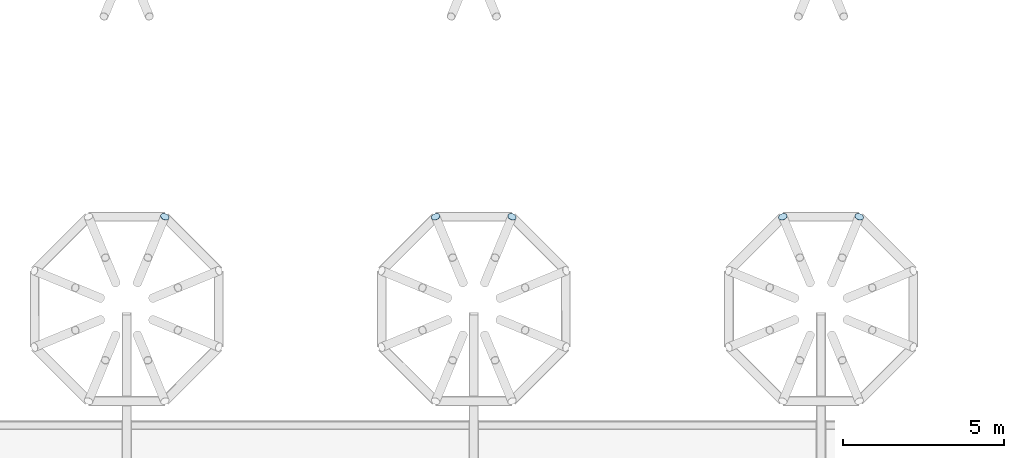
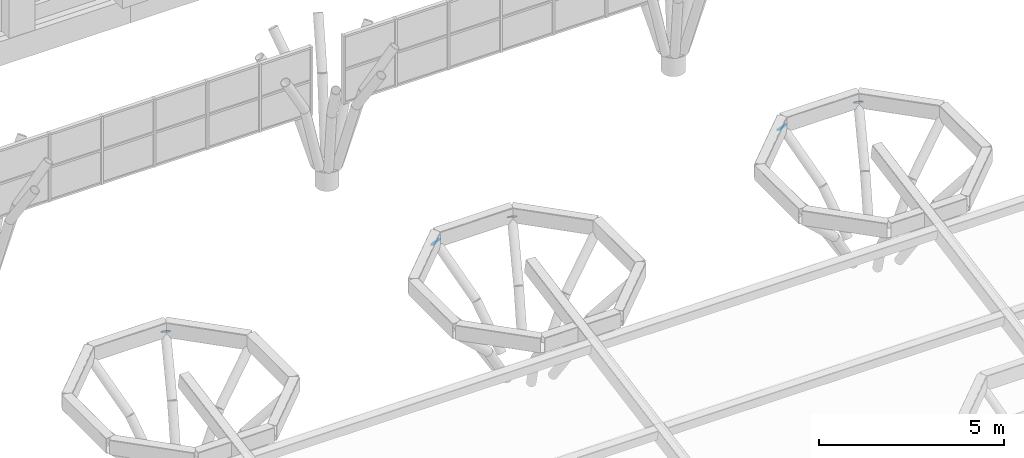
# One storey, part 26 of 42: 5 plates.
"""IFC4 building model written with IfcOpenShell, lengths in metres."""

from ifc_helpers import new_model, si_unit, direction, frame, origin, origin_2d, place, context, subcontext, project, spatial, circle, extrude, material, material_profile, profile_set, type_object, element, save


model = new_model("IFC4")

# Units and contexts
model_context = context("Model", 3, precision=1e-05, world=origin(), true_north=direction((0.0, 1.0)))
body_context = subcontext(model_context, "Body", "Model", "MODEL_VIEW")
ifc_project = project(units=[si_unit("LENGTHUNIT", "METRE"), si_unit("AREAUNIT", "SQUARE_METRE"), si_unit("VOLUMEUNIT", "CUBIC_METRE"), si_unit("PLANEANGLEUNIT", "RADIAN"), si_unit("MASSUNIT", "GRAM", prefix="KILO")], contexts=[model_context])

# Site, building, storey
site_placement = place(None, origin())
site = spatial("IfcSite", under=ifc_project, at=site_placement, CompositionType="ELEMENT")
building_placement = place(site_placement, origin())
building = spatial("IfcBuilding", under=site, at=building_placement, Name="Magnolia Steps Interchange", CompositionType="ELEMENT")
storey_placement = place(building_placement, frame((0.0, 0.0, 12.60009765625)))
storey = spatial("IfcBuildingStorey", under=building, at=storey_placement, Name="L03", CompositionType="ELEMENT", Elevation=12.60009765625)

# Plates
ifc_material = material(Name="Steel Q355B", Category="steel")
ifc_material_profile = material_profile(ifc_material, circle(Radius=0.136474609375, at=origin_2d()), Name="End plate CHS273x14")
ifc_profile_set = profile_set([ifc_material_profile], Name="Steel Q355B")
plate_type = type_object("IfcPlateType", Name="End plate CHS273x14", PredefinedType="SHEET", material=ifc_profile_set)
for number, where, z_axis, x_axis, name in (
    (1, (75.986328125, 77.6640625, 3.325439453125), (0.275279424158, 0.664583318381, 0.694658370398), (-0.923879532336, 0.382683432789, 0.0), "End plate Tree rib"),
    (2, (86.786376953125, 77.6640625, 3.325439453125), (0.275279424158, 0.664583318381, 0.694658370398), (-0.923879532336, 0.382683432789, 0.0), "End plate Tree rib"),
    (3, (84.413818359375, 77.6640625, 3.325439453125), (-0.275279424158, 0.664583318381, 0.694658370398), (-0.923879532336, -0.382683432789, 0.0), "End plate Tree rib"),
    (4, (97.586181640625, 77.6640625, 3.325439453125), (0.275279424158, 0.664583318381, 0.694658370398), (-0.923879532336, 0.382683432789, 0.0), "End plate Tree rib"),
    (5, (95.213623046875, 77.6640625, 3.325439453125), (-0.275279424158, 0.664583318381, 0.694658370398), (-0.923879532336, -0.382683432789, 0.0), "End plate Tree rib"),
):
    element("IfcPlate", number, at=place(storey_placement, frame(where, z_axis=z_axis, x_axis=x_axis)), inside=storey, type_object=plate_type, Name=name, PredefinedType="SHEET", context=body_context, shape_type="SweptSolid", body=[
        extrude(circle(Radius=0.136474609375, at=origin_2d()), origin(), (0.0, 0.0, 1.0), 0.008056640625),
    ])

save(model, "model.ifc")
